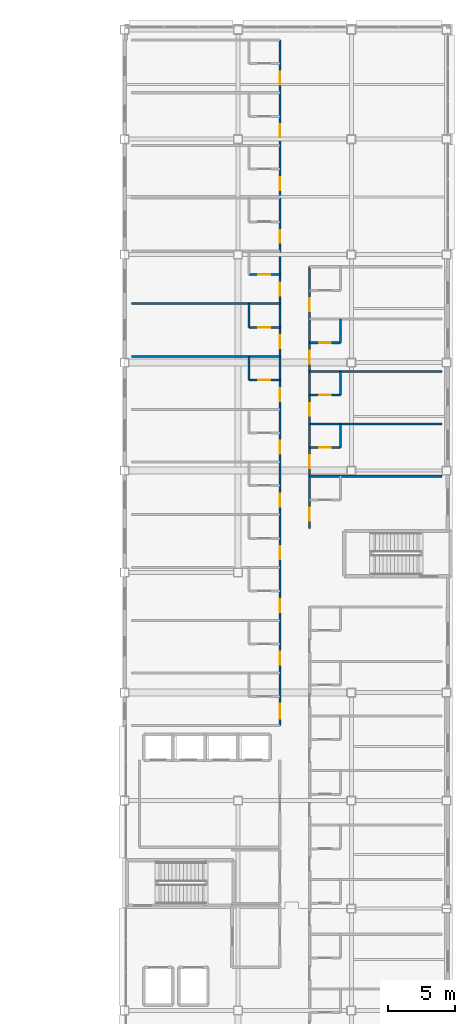
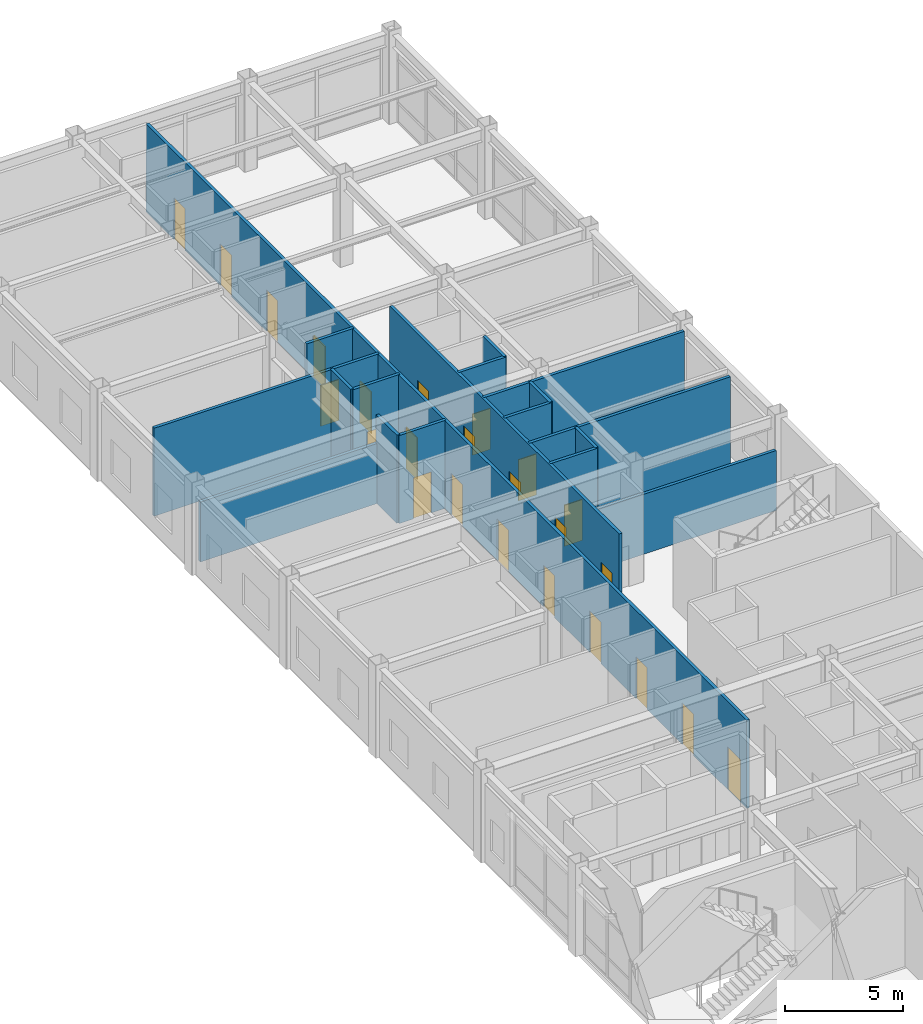
# One storey, part 80 of 93: 24 doors, 18 walls, 24 openings.
"""IFC4 building model written with IfcOpenShell, lengths in metres."""

from ifc_helpers import new_model, si_unit, direction, frame, frame_2d, origin, place, context, subcontext, project, spatial, rectangle, extrude, material, layer, layer_set, type_object, element, fill, save


model = new_model("IFC4")

# Units and contexts
model_context = context("Model", 3, precision=1e-05, world=origin(), true_north=direction((0.0, 1.0)))
body_context = subcontext(model_context, "Body", "Model", "MODEL_VIEW")
ifc_project = project(units=[si_unit("LENGTHUNIT", "METRE"), si_unit("AREAUNIT", "SQUARE_METRE"), si_unit("VOLUMEUNIT", "CUBIC_METRE"), si_unit("PLANEANGLEUNIT", "RADIAN"), si_unit("MASSUNIT", "GRAM", prefix="KILO")], contexts=[model_context])

# Site, building, storey
site_placement = place(None, origin())
site = spatial("IfcSite", under=ifc_project, at=site_placement, CompositionType="ELEMENT")
building_placement = place(site_placement, origin())
building = spatial("IfcBuilding", under=site, at=building_placement, Name="Kazehara Bluff Congress Hotel", CompositionType="ELEMENT")
storey_placement = place(building_placement, frame((0.0, 0.0, 15.0)))
storey = spatial("IfcBuildingStorey", under=building, at=storey_placement, Name="L03", CompositionType="ELEMENT", Elevation=15.0)

# Wall
ifc_material_1 = material(Name="Fire-rated gypsum board stud partition")
ifc_layer = layer(ifc_material_1, 0.14990234375)
ifc_layer_set = layer_set([ifc_layer], Name="Fire-rated gypsum board stud partition")
wall_type = type_object("IfcWallType", Name="TP-PT-150", PredefinedType="PARTITIONING", material=ifc_layer_set)
wall_1_placement = place(storey_placement, frame((157.39990234375, 80.47998046875, 0.0), z_axis=(0.0, 0.0, 1.0), x_axis=(1.0, 0.0, 0.0)))
element("IfcWall", 1, at=wall_1_placement, inside=storey, type_object=wall_type, Name="L03 partition PT-150 295", PredefinedType="PARTITIONING", context=body_context, shape_type="SweptSolid", body=[
    extrude(rectangle(XDim=9.800048828125, YDim=0.14990234375, at=frame_2d((4.89990234375, 0.0))), origin(), (0.0, 0.0, 1.0), 3.094970703125),
])

# Wall, opening, door
wall_2_placement = place(storey_placement, frame((157.39990234375, 82.610107421875, 0.0), z_axis=(0.0, 0.0, 1.0), x_axis=(1.0, 0.0, 0.0)))
wall_2 = element("IfcWall", 2, at=wall_2_placement, inside=storey, type_object=wall_type, Name="L03 partition PT-150 297", PredefinedType="PARTITIONING", context=body_context, shape_type="SweptSolid", body=[
    extrude(rectangle(XDim=2.300048828125, YDim=0.14990234375, at=frame_2d((1.14990234375, 0.0))), origin(), (0.0, 0.0, 1.0), 4.544921875),
])
opening_1_placement = place(wall_2_placement, frame((0.7099609375, 0.0, 0.0)))
opening_1 = element("IfcOpeningElement", 3, at=opening_1_placement, cuts=wall_2, Name="Opening BD-02", PredefinedType="OPENING", context=body_context, shape_type="SweptSolid", body=[
    extrude(rectangle(XDim=0.8798828125, YDim=2.1201171875, at=frame_2d((0.43994140625, 1.06005859375))), frame((0.0, 0.0849609375, 0.0), z_axis=(0.0, -1.0, 0.0), x_axis=(1.0, 0.0, 0.0)), (0.0, 0.0, 1.0), 0.169921875),
])
ifc_material_2 = material(Name="Architectural oak veneer leaf")
door_type_1 = type_object("IfcDoorType", Name="TP-BD-02", OperationType="NOTDEFINED", PredefinedType="DOOR", material=ifc_material_2)
door_1_placement = place(opening_1_placement, origin())
door_1 = element("IfcDoor", 4, at=door_1_placement, inside=storey, type_object=door_type_1, Name="L03 En-suite Bathroom 27 door", OperationType="SINGLE_SWING_LEFT", OverallHeight=2.1201171875, OverallWidth=0.8798828125, PredefinedType="DOOR", context=body_context, shape_type="SweptSolid", body=[
    extrude(rectangle(XDim=0.8798828125, YDim=2.1201171875, at=frame_2d((0.43994140625, 1.06005859375))), frame((0.0, 0.02490234375, 0.0), z_axis=(0.0, -1.0, 0.0), x_axis=(1.0, 0.0, 0.0)), (0.0, 0.0, 1.0), 0.050048828125),
])
fill(opening_1, door_1)

# Wall
wall_3_placement = place(storey_placement, frame((157.39990234375, 84.360107421875, 0.0), z_axis=(0.0, 0.0, 1.0), x_axis=(1.0, 0.0, 0.0)))
element("IfcWall", 5, at=wall_3_placement, inside=storey, type_object=wall_type, Name="L03 partition PT-150 299", PredefinedType="PARTITIONING", context=body_context, shape_type="SweptSolid", body=[
    extrude(rectangle(XDim=9.800048828125, YDim=0.14990234375, at=frame_2d((4.89990234375, 0.0))), origin(), (0.0, 0.0, 1.0), 4.544921875),
])

# Wall, opening, door
wall_4_placement = place(storey_placement, frame((157.39990234375, 86.489990234375, 0.0), z_axis=(0.0, 0.0, 1.0), x_axis=(1.0, 0.0, 0.0)))
wall_4 = element("IfcWall", 6, at=wall_4_placement, inside=storey, type_object=wall_type, Name="L03 partition PT-150 301", PredefinedType="PARTITIONING", context=body_context, shape_type="SweptSolid", body=[
    extrude(rectangle(XDim=2.300048828125, YDim=0.14990234375, at=frame_2d((1.14990234375, 0.0))), origin(), (0.0, 0.0, 1.0), 4.544921875),
])
opening_2_placement = place(wall_4_placement, frame((0.7099609375, 0.0, 0.0)))
opening_2 = element("IfcOpeningElement", 7, at=opening_2_placement, cuts=wall_4, Name="Opening BD-02", PredefinedType="OPENING", context=body_context, shape_type="SweptSolid", body=[
    extrude(rectangle(XDim=0.8798828125, YDim=2.1201171875, at=frame_2d((0.43994140625, 1.06005859375))), frame((0.0, 0.0849609375, 0.0), z_axis=(0.0, -1.0, 0.0), x_axis=(1.0, 0.0, 0.0)), (0.0, 0.0, 1.0), 0.169921875),
])
door_2_placement = place(opening_2_placement, origin())
door_2 = element("IfcDoor", 8, at=door_2_placement, inside=storey, type_object=door_type_1, Name="L03 En-suite Bathroom 28 door", OperationType="SINGLE_SWING_LEFT", OverallHeight=2.1201171875, OverallWidth=0.8798828125, PredefinedType="DOOR", context=body_context, shape_type="SweptSolid", body=[
    extrude(rectangle(XDim=0.8798828125, YDim=2.1201171875, at=frame_2d((0.43994140625, 1.06005859375))), frame((0.0, 0.02490234375, 0.0), z_axis=(0.0, -1.0, 0.0), x_axis=(1.0, 0.0, 0.0)), (0.0, 0.0, 1.0), 0.050048828125),
])
fill(opening_2, door_2)

wall_5_placement = place(storey_placement, frame((152.89990234375, 87.610107421875, 0.0), z_axis=(0.0, 0.0, 1.0), x_axis=(1.0, 0.0, 0.0)))
wall_5 = element("IfcWall", 9, at=wall_5_placement, inside=storey, type_object=wall_type, Name="L03 partition PT-150 302", PredefinedType="PARTITIONING", context=body_context, shape_type="SweptSolid", body=[
    extrude(rectangle(XDim=2.300048828125, YDim=0.14990234375, at=frame_2d((1.14990234375, 0.0))), origin(), (0.0, 0.0, 1.0), 4.544921875),
])
opening_3_placement = place(wall_5_placement, frame((0.7099609375, 0.0, 0.0)))
opening_3 = element("IfcOpeningElement", 10, at=opening_3_placement, cuts=wall_5, Name="Opening BD-02", PredefinedType="OPENING", context=body_context, shape_type="SweptSolid", body=[
    extrude(rectangle(XDim=0.8798828125, YDim=2.1201171875, at=frame_2d((0.43994140625, 1.06005859375))), frame((0.0, 0.0849609375, 0.0), z_axis=(0.0, -1.0, 0.0), x_axis=(1.0, 0.0, 0.0)), (0.0, 0.0, 1.0), 0.169921875),
])
door_3_placement = place(opening_3_placement, origin())
door_3 = element("IfcDoor", 11, at=door_3_placement, inside=storey, type_object=door_type_1, Name="L03 En-suite Bathroom 7 door", OperationType="SINGLE_SWING_LEFT", OverallHeight=2.1201171875, OverallWidth=0.8798828125, PredefinedType="DOOR", context=body_context, shape_type="SweptSolid", body=[
    extrude(rectangle(XDim=0.8798828125, YDim=2.1201171875, at=frame_2d((0.43994140625, 1.06005859375))), frame((0.0, 0.02490234375, 0.0), z_axis=(0.0, -1.0, 0.0), x_axis=(1.0, 0.0, 0.0)), (0.0, 0.0, 1.0), 0.050048828125),
])
fill(opening_3, door_3)

# Walls
wall_6_placement = place(storey_placement, frame((157.39990234375, 88.239990234375, 0.0), z_axis=(0.0, 0.0, 1.0), x_axis=(1.0, 0.0, 0.0)))
element("IfcWall", 12, at=wall_6_placement, inside=storey, type_object=wall_type, Name="L03 partition PT-150 303", PredefinedType="PARTITIONING", context=body_context, shape_type="SweptSolid", body=[
    extrude(rectangle(XDim=9.800048828125, YDim=0.14990234375, at=frame_2d((4.89990234375, 0.0))), origin(), (0.0, 0.0, 1.0), 4.544921875),
])
wall_7_placement = place(storey_placement, frame((144.199951171875, 89.360107421875, 0.0), z_axis=(0.0, 0.0, 1.0), x_axis=(1.0, 0.0, 0.0)))
element("IfcWall", 13, at=wall_7_placement, inside=storey, type_object=wall_type, Name="L03 partition PT-150 304", PredefinedType="PARTITIONING", context=body_context, shape_type="SweptSolid", body=[
    extrude(rectangle(XDim=11.0, YDim=0.14990234375, at=frame_2d((5.5, 0.0))), origin(), (0.0, 0.0, 1.0), 3.094970703125),
])

# Wall, opening, door
wall_8_placement = place(storey_placement, frame((157.39990234375, 90.3701171875, 0.0), z_axis=(0.0, 0.0, 1.0), x_axis=(1.0, 0.0, 0.0)))
wall_8 = element("IfcWall", 14, at=wall_8_placement, inside=storey, type_object=wall_type, Name="L03 partition PT-150 305", PredefinedType="PARTITIONING", context=body_context, shape_type="SweptSolid", body=[
    extrude(rectangle(XDim=2.300048828125, YDim=0.14990234375, at=frame_2d((1.14990234375, 0.0))), origin(), (0.0, 0.0, 1.0), 4.544921875),
])
opening_4_placement = place(wall_8_placement, frame((0.7099609375, 0.0, 0.0)))
opening_4 = element("IfcOpeningElement", 15, at=opening_4_placement, cuts=wall_8, Name="Opening BD-02", PredefinedType="OPENING", context=body_context, shape_type="SweptSolid", body=[
    extrude(rectangle(XDim=0.8798828125, YDim=2.1201171875, at=frame_2d((0.43994140625, 1.06005859375))), frame((0.0, 0.0849609375, 0.0), z_axis=(0.0, -1.0, 0.0), x_axis=(1.0, 0.0, 0.0)), (0.0, 0.0, 1.0), 0.169921875),
])
door_4_placement = place(opening_4_placement, origin())
door_4 = element("IfcDoor", 16, at=door_4_placement, inside=storey, type_object=door_type_1, Name="L03 En-suite Bathroom 29 door", OperationType="SINGLE_SWING_LEFT", OverallHeight=2.1201171875, OverallWidth=0.8798828125, PredefinedType="DOOR", context=body_context, shape_type="SweptSolid", body=[
    extrude(rectangle(XDim=0.8798828125, YDim=2.1201171875, at=frame_2d((0.43994140625, 1.06005859375))), frame((0.0, 0.02490234375, 0.0), z_axis=(0.0, -1.0, 0.0), x_axis=(1.0, 0.0, 0.0)), (0.0, 0.0, 1.0), 0.050048828125),
])
fill(opening_4, door_4)

wall_9_placement = place(storey_placement, frame((152.89990234375, 91.510009765625, 0.0), z_axis=(0.0, 0.0, 1.0), x_axis=(1.0, 0.0, 0.0)))
wall_9 = element("IfcWall", 17, at=wall_9_placement, inside=storey, type_object=wall_type, Name="L03 partition PT-150 306", PredefinedType="PARTITIONING", context=body_context, shape_type="SweptSolid", body=[
    extrude(rectangle(XDim=2.300048828125, YDim=0.14990234375, at=frame_2d((1.14990234375, 0.0))), origin(), (0.0, 0.0, 1.0), 4.544921875),
])
opening_5_placement = place(wall_9_placement, frame((0.7099609375, 0.0, 0.0)))
opening_5 = element("IfcOpeningElement", 18, at=opening_5_placement, cuts=wall_9, Name="Opening BD-02", PredefinedType="OPENING", context=body_context, shape_type="SweptSolid", body=[
    extrude(rectangle(XDim=0.8798828125, YDim=2.1201171875, at=frame_2d((0.43994140625, 1.06005859375))), frame((0.0, 0.0849609375, 0.0), z_axis=(0.0, -1.0, 0.0), x_axis=(1.0, 0.0, 0.0)), (0.0, 0.0, 1.0), 0.169921875),
])
door_5_placement = place(opening_5_placement, origin())
door_5 = element("IfcDoor", 19, at=door_5_placement, inside=storey, type_object=door_type_1, Name="L03 En-suite Bathroom 8 door", OperationType="SINGLE_SWING_LEFT", OverallHeight=2.1201171875, OverallWidth=0.8798828125, PredefinedType="DOOR", context=body_context, shape_type="SweptSolid", body=[
    extrude(rectangle(XDim=0.8798828125, YDim=2.1201171875, at=frame_2d((0.43994140625, 1.06005859375))), frame((0.0, 0.02490234375, 0.0), z_axis=(0.0, -1.0, 0.0), x_axis=(1.0, 0.0, 0.0)), (0.0, 0.0, 1.0), 0.050048828125),
])
fill(opening_5, door_5)

# Wall
wall_10_placement = place(storey_placement, frame((144.199951171875, 93.260009765625, 0.0), z_axis=(0.0, 0.0, 1.0), x_axis=(1.0, 0.0, 0.0)))
element("IfcWall", 20, at=wall_10_placement, inside=storey, type_object=wall_type, Name="L03 partition PT-150 308", PredefinedType="PARTITIONING", context=body_context, shape_type="SweptSolid", body=[
    extrude(rectangle(XDim=11.0, YDim=0.14990234375, at=frame_2d((5.5, 0.0))), origin(), (0.0, 0.0, 1.0), 4.544921875),
])

# Wall, opening, door
wall_11_placement = place(storey_placement, frame((152.89990234375, 95.419921875, 0.0), z_axis=(0.0, 0.0, 1.0), x_axis=(1.0, 0.0, 0.0)))
wall_11 = element("IfcWall", 21, at=wall_11_placement, inside=storey, type_object=wall_type, Name="L03 partition PT-150 310", PredefinedType="PARTITIONING", context=body_context, shape_type="SweptSolid", body=[
    extrude(rectangle(XDim=2.300048828125, YDim=0.14990234375, at=frame_2d((1.14990234375, 0.0))), origin(), (0.0, 0.0, 1.0), 4.544921875),
])
opening_6_placement = place(wall_11_placement, frame((0.7099609375, 0.0, 0.0)))
opening_6 = element("IfcOpeningElement", 22, at=opening_6_placement, cuts=wall_11, Name="Opening BD-02", PredefinedType="OPENING", context=body_context, shape_type="SweptSolid", body=[
    extrude(rectangle(XDim=0.8798828125, YDim=2.1201171875, at=frame_2d((0.43994140625, 1.06005859375))), frame((0.0, 0.0849609375, 0.0), z_axis=(0.0, -1.0, 0.0), x_axis=(1.0, 0.0, 0.0)), (0.0, 0.0, 1.0), 0.169921875),
])
door_6_placement = place(opening_6_placement, origin())
door_6 = element("IfcDoor", 23, at=door_6_placement, inside=storey, type_object=door_type_1, Name="L03 En-suite Bathroom 9 door", OperationType="SINGLE_SWING_LEFT", OverallHeight=2.1201171875, OverallWidth=0.8798828125, PredefinedType="DOOR", context=body_context, shape_type="SweptSolid", body=[
    extrude(rectangle(XDim=0.8798828125, YDim=2.1201171875, at=frame_2d((0.43994140625, 1.06005859375))), frame((0.0, 0.02490234375, 0.0), z_axis=(0.0, -1.0, 0.0), x_axis=(1.0, 0.0, 0.0)), (0.0, 0.0, 1.0), 0.050048828125),
])
fill(opening_6, door_6)

# Walls
for number, where, z_axis, x_axis, name in (
    (24, (152.89990234375, 87.60498046875, 0.0), (0.0, 0.0, 1.0), (0.0, 1.0, 0.0), "L03 partition PT-150 336"),
    (25, (152.89990234375, 91.510009765625, 0.0), (0.0, 0.0, 1.0), (0.0, 1.0, 0.0), "L03 partition PT-150 337"),
):
    element("IfcWall", number, at=place(storey_placement, frame(where, z_axis=z_axis, x_axis=x_axis)), inside=storey, type_object=wall_type, Name=name, PredefinedType="PARTITIONING", context=body_context, shape_type="SweptSolid", body=[
        extrude(rectangle(XDim=1.75, YDim=0.14990234375, at=frame_2d((0.875, 0.0))), origin(), (0.0, 0.0, 1.0), 4.544921875),
    ])

# Wall, openings, doors
wall_12_placement = place(storey_placement, frame((155.199951171875, 62.0, 0.0), z_axis=(0.0, 0.0, 1.0), x_axis=(0.0, 1.0, 0.0)))
wall_12 = element("IfcWall", 26, at=wall_12_placement, inside=storey, type_object=wall_type, Name="L03 partition PT-150 348", PredefinedType="PARTITIONING", context=body_context, shape_type="SweptSolid", body=[
    extrude(rectangle(XDim=50.800048828125, YDim=0.14990234375, at=frame_2d((25.39990234375, 0.0))), origin(), (0.0, 0.0, 1.0), 4.544921875),
])
opening_7_placement = place(wall_12_placement, frame((0.530029296875, 0.0, 0.0)))
opening_7 = element("IfcOpeningElement", 27, at=opening_7_placement, cuts=wall_12, Name="Opening GD-02", PredefinedType="OPENING", context=body_context, shape_type="SweptSolid", body=[
    extrude(rectangle(XDim=1.10009765625, YDim=2.199951171875, at=frame_2d((0.550048828125, 1.10009765625))), frame((0.0, 0.0849609375, 0.0), z_axis=(0.0, -1.0, 0.0), x_axis=(1.0, 0.0, 0.0)), (0.0, 0.0, 1.0), 0.169921875),
])
opening_8_placement = place(wall_12_placement, frame((4.510009765625, 0.0, 0.0)))
opening_8 = element("IfcOpeningElement", 28, at=opening_8_placement, cuts=wall_12, Name="Opening GD-01", PredefinedType="OPENING", context=body_context, shape_type="SweptSolid", body=[
    extrude(rectangle(XDim=0.949951171875, YDim=2.14990234375, at=frame_2d((0.47509765625, 1.074951171875))), frame((0.0, 0.0849609375, 0.0), z_axis=(0.0, -1.0, 0.0), x_axis=(1.0, 0.0, 0.0)), (0.0, 0.0, 1.0), 0.169921875),
])
opening_9_placement = place(wall_12_placement, frame((8.419921875, 0.0, 0.0)))
opening_9 = element("IfcOpeningElement", 29, at=opening_9_placement, cuts=wall_12, Name="Opening GD-01", PredefinedType="OPENING", context=body_context, shape_type="SweptSolid", body=[
    extrude(rectangle(XDim=0.949951171875, YDim=2.14990234375, at=frame_2d((0.47509765625, 1.074951171875))), frame((0.0, 0.0849609375, 0.0), z_axis=(0.0, -1.0, 0.0), x_axis=(1.0, 0.0, 0.0)), (0.0, 0.0, 1.0), 0.169921875),
])
opening_10_placement = place(wall_12_placement, frame((12.330078125, 0.0, 0.0)))
opening_10 = element("IfcOpeningElement", 30, at=opening_10_placement, cuts=wall_12, Name="Opening GD-01", PredefinedType="OPENING", context=body_context, shape_type="SweptSolid", body=[
    extrude(rectangle(XDim=0.949951171875, YDim=2.14990234375, at=frame_2d((0.47509765625, 1.074951171875))), frame((0.0, 0.0849609375, 0.0), z_axis=(0.0, -1.0, 0.0), x_axis=(1.0, 0.0, 0.0)), (0.0, 0.0, 1.0), 0.169921875),
])
opening_11_placement = place(wall_12_placement, frame((16.235107421875, 0.0, 0.0)))
opening_11 = element("IfcOpeningElement", 31, at=opening_11_placement, cuts=wall_12, Name="Opening GD-01", PredefinedType="OPENING", context=body_context, shape_type="SweptSolid", body=[
    extrude(rectangle(XDim=0.949951171875, YDim=2.14990234375, at=frame_2d((0.47509765625, 1.074951171875))), frame((0.0, 0.0849609375, 0.0), z_axis=(0.0, -1.0, 0.0), x_axis=(1.0, 0.0, 0.0)), (0.0, 0.0, 1.0), 0.169921875),
])
opening_12_placement = place(wall_12_placement, frame((20.14501953125, 0.0, 0.0)))
opening_12 = element("IfcOpeningElement", 32, at=opening_12_placement, cuts=wall_12, Name="Opening GD-01", PredefinedType="OPENING", context=body_context, shape_type="SweptSolid", body=[
    extrude(rectangle(XDim=0.949951171875, YDim=2.14990234375, at=frame_2d((0.47509765625, 1.074951171875))), frame((0.0, 0.0849609375, 0.0), z_axis=(0.0, -1.0, 0.0), x_axis=(1.0, 0.0, 0.0)), (0.0, 0.0, 1.0), 0.169921875),
])
opening_13_placement = place(wall_12_placement, frame((24.050048828125, 0.0, 0.0)))
opening_13 = element("IfcOpeningElement", 33, at=opening_13_placement, cuts=wall_12, Name="Opening GD-01", PredefinedType="OPENING", context=body_context, shape_type="SweptSolid", body=[
    extrude(rectangle(XDim=0.949951171875, YDim=2.14990234375, at=frame_2d((0.47509765625, 1.074951171875))), frame((0.0, 0.0849609375, 0.0), z_axis=(0.0, -1.0, 0.0), x_axis=(1.0, 0.0, 0.0)), (0.0, 0.0, 1.0), 0.169921875),
])
opening_14_placement = place(wall_12_placement, frame((27.9599609375, 0.0, 0.0)))
opening_14 = element("IfcOpeningElement", 34, at=opening_14_placement, cuts=wall_12, Name="Opening GD-01", PredefinedType="OPENING", context=body_context, shape_type="SweptSolid", body=[
    extrude(rectangle(XDim=0.949951171875, YDim=2.14990234375, at=frame_2d((0.47509765625, 1.074951171875))), frame((0.0, 0.0849609375, 0.0), z_axis=(0.0, -1.0, 0.0), x_axis=(1.0, 0.0, 0.0)), (0.0, 0.0, 1.0), 0.169921875),
])
opening_15_placement = place(wall_12_placement, frame((31.864990234375, 0.0, 0.0)))
opening_15 = element("IfcOpeningElement", 35, at=opening_15_placement, cuts=wall_12, Name="Opening GD-01", PredefinedType="OPENING", context=body_context, shape_type="SweptSolid", body=[
    extrude(rectangle(XDim=0.949951171875, YDim=2.14990234375, at=frame_2d((0.47509765625, 1.074951171875))), frame((0.0, 0.0849609375, 0.0), z_axis=(0.0, -1.0, 0.0), x_axis=(1.0, 0.0, 0.0)), (0.0, 0.0, 1.0), 0.169921875),
])
opening_16_placement = place(wall_12_placement, frame((35.77001953125, 0.0, 0.0)))
opening_16 = element("IfcOpeningElement", 36, at=opening_16_placement, cuts=wall_12, Name="Opening GD-01", PredefinedType="OPENING", context=body_context, shape_type="SweptSolid", body=[
    extrude(rectangle(XDim=0.949951171875, YDim=2.14990234375, at=frame_2d((0.47509765625, 1.074951171875))), frame((0.0, 0.0849609375, 0.0), z_axis=(0.0, -1.0, 0.0), x_axis=(1.0, 0.0, 0.0)), (0.0, 0.0, 1.0), 0.169921875),
])
opening_17_placement = place(wall_12_placement, frame((39.679931640625, 0.0, 0.0)))
opening_17 = element("IfcOpeningElement", 37, at=opening_17_placement, cuts=wall_12, Name="Opening GD-01", PredefinedType="OPENING", context=body_context, shape_type="SweptSolid", body=[
    extrude(rectangle(XDim=0.949951171875, YDim=2.14990234375, at=frame_2d((0.47509765625, 1.074951171875))), frame((0.0, 0.0849609375, 0.0), z_axis=(0.0, -1.0, 0.0), x_axis=(1.0, 0.0, 0.0)), (0.0, 0.0, 1.0), 0.169921875),
])
opening_18_placement = place(wall_12_placement, frame((43.590087890625, 0.0, 0.0)))
opening_18 = element("IfcOpeningElement", 38, at=opening_18_placement, cuts=wall_12, Name="Opening GD-01", PredefinedType="OPENING", context=body_context, shape_type="SweptSolid", body=[
    extrude(rectangle(XDim=0.949951171875, YDim=2.14990234375, at=frame_2d((0.47509765625, 1.074951171875))), frame((0.0, 0.0849609375, 0.0), z_axis=(0.0, -1.0, 0.0), x_axis=(1.0, 0.0, 0.0)), (0.0, 0.0, 1.0), 0.169921875),
])
opening_19_placement = place(wall_12_placement, frame((47.4951171875, 0.0, 0.0)))
opening_19 = element("IfcOpeningElement", 39, at=opening_19_placement, cuts=wall_12, Name="Opening GD-01", PredefinedType="OPENING", context=body_context, shape_type="SweptSolid", body=[
    extrude(rectangle(XDim=0.949951171875, YDim=2.14990234375, at=frame_2d((0.47509765625, 1.074951171875))), frame((0.0, 0.0849609375, 0.0), z_axis=(0.0, -1.0, 0.0), x_axis=(1.0, 0.0, 0.0)), (0.0, 0.0, 1.0), 0.169921875),
])
ifc_material_3 = material(Name="Architectural oak veneer leaf")
door_type_2 = type_object("IfcDoorType", Name="TP-GD-01", OperationType="NOTDEFINED", PredefinedType="DOOR", material=ifc_material_3)
door_7_placement = place(opening_8_placement, origin())
door_7 = element("IfcDoor", 40, at=door_7_placement, inside=storey, type_object=door_type_2, Name="L03 Deluxe Twin Guest Room 2 door", OperationType="SINGLE_SWING_RIGHT", OverallHeight=2.14990234375, OverallWidth=0.949951171875, PredefinedType="DOOR", context=body_context, shape_type="SweptSolid", body=[
    extrude(rectangle(XDim=0.949951171875, YDim=2.14990234375, at=frame_2d((0.47509765625, 1.074951171875))), frame((0.0, 0.02490234375, 0.0), z_axis=(0.0, -1.0, 0.0), x_axis=(1.0, 0.0, 0.0)), (0.0, 0.0, 1.0), 0.050048828125),
])
fill(opening_8, door_7)
door_8_placement = place(opening_9_placement, origin())
door_8 = element("IfcDoor", 41, at=door_8_placement, inside=storey, type_object=door_type_2, Name="L03 Standard King Guest Room 3 door", OperationType="SINGLE_SWING_RIGHT", OverallHeight=2.14990234375, OverallWidth=0.949951171875, PredefinedType="DOOR", context=body_context, shape_type="SweptSolid", body=[
    extrude(rectangle(XDim=0.949951171875, YDim=2.14990234375, at=frame_2d((0.47509765625, 1.074951171875))), frame((0.0, 0.02490234375, 0.0), z_axis=(0.0, -1.0, 0.0), x_axis=(1.0, 0.0, 0.0)), (0.0, 0.0, 1.0), 0.050048828125),
])
fill(opening_9, door_8)
door_9_placement = place(opening_10_placement, origin())
door_9 = element("IfcDoor", 42, at=door_9_placement, inside=storey, type_object=door_type_2, Name="L03 Deluxe Twin Guest Room 4 door", OperationType="SINGLE_SWING_RIGHT", OverallHeight=2.14990234375, OverallWidth=0.949951171875, PredefinedType="DOOR", context=body_context, shape_type="SweptSolid", body=[
    extrude(rectangle(XDim=0.949951171875, YDim=2.14990234375, at=frame_2d((0.47509765625, 1.074951171875))), frame((0.0, 0.02490234375, 0.0), z_axis=(0.0, -1.0, 0.0), x_axis=(1.0, 0.0, 0.0)), (0.0, 0.0, 1.0), 0.050048828125),
])
fill(opening_10, door_9)
door_10_placement = place(opening_11_placement, origin())
door_10 = element("IfcDoor", 43, at=door_10_placement, inside=storey, type_object=door_type_2, Name="L03 Standard King Guest Room 5 door", OperationType="SINGLE_SWING_RIGHT", OverallHeight=2.14990234375, OverallWidth=0.949951171875, PredefinedType="DOOR", context=body_context, shape_type="SweptSolid", body=[
    extrude(rectangle(XDim=0.949951171875, YDim=2.14990234375, at=frame_2d((0.47509765625, 1.074951171875))), frame((0.0, 0.02490234375, 0.0), z_axis=(0.0, -1.0, 0.0), x_axis=(1.0, 0.0, 0.0)), (0.0, 0.0, 1.0), 0.050048828125),
])
fill(opening_11, door_10)
door_11_placement = place(opening_12_placement, origin())
door_11 = element("IfcDoor", 44, at=door_11_placement, inside=storey, type_object=door_type_2, Name="L03 Deluxe Twin Guest Room 6 door", OperationType="SINGLE_SWING_RIGHT", OverallHeight=2.14990234375, OverallWidth=0.949951171875, PredefinedType="DOOR", context=body_context, shape_type="SweptSolid", body=[
    extrude(rectangle(XDim=0.949951171875, YDim=2.14990234375, at=frame_2d((0.47509765625, 1.074951171875))), frame((0.0, 0.02490234375, 0.0), z_axis=(0.0, -1.0, 0.0), x_axis=(1.0, 0.0, 0.0)), (0.0, 0.0, 1.0), 0.050048828125),
])
fill(opening_12, door_11)
door_12_placement = place(opening_13_placement, origin())
door_12 = element("IfcDoor", 45, at=door_12_placement, inside=storey, type_object=door_type_2, Name="L03 Standard King Guest Room 7 door", OperationType="SINGLE_SWING_RIGHT", OverallHeight=2.14990234375, OverallWidth=0.949951171875, PredefinedType="DOOR", context=body_context, shape_type="SweptSolid", body=[
    extrude(rectangle(XDim=0.949951171875, YDim=2.14990234375, at=frame_2d((0.47509765625, 1.074951171875))), frame((0.0, 0.02490234375, 0.0), z_axis=(0.0, -1.0, 0.0), x_axis=(1.0, 0.0, 0.0)), (0.0, 0.0, 1.0), 0.050048828125),
])
fill(opening_13, door_12)
door_13_placement = place(opening_14_placement, origin())
door_13 = element("IfcDoor", 46, at=door_13_placement, inside=storey, type_object=door_type_2, Name="L03 Deluxe Twin Guest Room 8 door", OperationType="SINGLE_SWING_RIGHT", OverallHeight=2.14990234375, OverallWidth=0.949951171875, PredefinedType="DOOR", context=body_context, shape_type="SweptSolid", body=[
    extrude(rectangle(XDim=0.949951171875, YDim=2.14990234375, at=frame_2d((0.47509765625, 1.074951171875))), frame((0.0, 0.02490234375, 0.0), z_axis=(0.0, -1.0, 0.0), x_axis=(1.0, 0.0, 0.0)), (0.0, 0.0, 1.0), 0.050048828125),
])
fill(opening_14, door_13)
door_14_placement = place(opening_15_placement, origin())
door_14 = element("IfcDoor", 47, at=door_14_placement, inside=storey, type_object=door_type_2, Name="L03 Standard King Guest Room 9 door", OperationType="SINGLE_SWING_RIGHT", OverallHeight=2.14990234375, OverallWidth=0.949951171875, PredefinedType="DOOR", context=body_context, shape_type="SweptSolid", body=[
    extrude(rectangle(XDim=0.949951171875, YDim=2.14990234375, at=frame_2d((0.47509765625, 1.074951171875))), frame((0.0, 0.02490234375, 0.0), z_axis=(0.0, -1.0, 0.0), x_axis=(1.0, 0.0, 0.0)), (0.0, 0.0, 1.0), 0.050048828125),
])
fill(opening_15, door_14)
door_15_placement = place(opening_16_placement, origin())
door_15 = element("IfcDoor", 48, at=door_15_placement, inside=storey, type_object=door_type_2, Name="L03 Deluxe Twin Guest Room 10 door", OperationType="SINGLE_SWING_RIGHT", OverallHeight=2.14990234375, OverallWidth=0.949951171875, PredefinedType="DOOR", context=body_context, shape_type="SweptSolid", body=[
    extrude(rectangle(XDim=0.949951171875, YDim=2.14990234375, at=frame_2d((0.47509765625, 1.074951171875))), frame((0.0, 0.02490234375, 0.0), z_axis=(0.0, -1.0, 0.0), x_axis=(1.0, 0.0, 0.0)), (0.0, 0.0, 1.0), 0.050048828125),
])
fill(opening_16, door_15)
door_16_placement = place(opening_17_placement, origin())
door_16 = element("IfcDoor", 49, at=door_16_placement, inside=storey, type_object=door_type_2, Name="L03 Standard King Guest Room 11 door", OperationType="SINGLE_SWING_RIGHT", OverallHeight=2.14990234375, OverallWidth=0.949951171875, PredefinedType="DOOR", context=body_context, shape_type="SweptSolid", body=[
    extrude(rectangle(XDim=0.949951171875, YDim=2.14990234375, at=frame_2d((0.47509765625, 1.074951171875))), frame((0.0, 0.02490234375, 0.0), z_axis=(0.0, -1.0, 0.0), x_axis=(1.0, 0.0, 0.0)), (0.0, 0.0, 1.0), 0.050048828125),
])
fill(opening_17, door_16)
door_17_placement = place(opening_18_placement, origin())
door_17 = element("IfcDoor", 50, at=door_17_placement, inside=storey, type_object=door_type_2, Name="L03 Deluxe Twin Guest Room 12 door", OperationType="SINGLE_SWING_RIGHT", OverallHeight=2.14990234375, OverallWidth=0.949951171875, PredefinedType="DOOR", context=body_context, shape_type="SweptSolid", body=[
    extrude(rectangle(XDim=0.949951171875, YDim=2.14990234375, at=frame_2d((0.47509765625, 1.074951171875))), frame((0.0, 0.02490234375, 0.0), z_axis=(0.0, -1.0, 0.0), x_axis=(1.0, 0.0, 0.0)), (0.0, 0.0, 1.0), 0.050048828125),
])
fill(opening_18, door_17)
door_18_placement = place(opening_19_placement, origin())
door_18 = element("IfcDoor", 51, at=door_18_placement, inside=storey, type_object=door_type_2, Name="L03 Standard King Guest Room 13 door", OperationType="SINGLE_SWING_RIGHT", OverallHeight=2.14990234375, OverallWidth=0.949951171875, PredefinedType="DOOR", context=body_context, shape_type="SweptSolid", body=[
    extrude(rectangle(XDim=0.949951171875, YDim=2.14990234375, at=frame_2d((0.47509765625, 1.074951171875))), frame((0.0, 0.02490234375, 0.0), z_axis=(0.0, -1.0, 0.0), x_axis=(1.0, 0.0, 0.0)), (0.0, 0.0, 1.0), 0.050048828125),
])
fill(opening_19, door_18)
ifc_material_4 = material(Name="Architectural oak veneer leaf")
door_type_3 = type_object("IfcDoorType", Name="TP-GD-02", OperationType="NOTDEFINED", PredefinedType="DOOR", material=ifc_material_4)
door_19_placement = place(opening_7_placement, origin())
door_19 = element("IfcDoor", 52, at=door_19_placement, inside=storey, type_object=door_type_3, Name="L03 Accessible Suite 1 door", OperationType="SINGLE_SWING_RIGHT", OverallHeight=2.199951171875, OverallWidth=1.10009765625, PredefinedType="DOOR", context=body_context, shape_type="SweptSolid", body=[
    extrude(rectangle(XDim=1.10009765625, YDim=2.199951171875, at=frame_2d((0.550048828125, 1.10009765625))), frame((0.0, 0.02490234375, 0.0), z_axis=(0.0, -1.0, 0.0), x_axis=(1.0, 0.0, 0.0)), (0.0, 0.0, 1.0), 0.050048828125),
])
fill(opening_7, door_19)

wall_13_placement = place(storey_placement, frame((157.39990234375, 76.60009765625, 0.0), z_axis=(0.0, 0.0, 1.0), x_axis=(0.0, 1.0, 0.0)))
wall_13 = element("IfcWall", 53, at=wall_13_placement, inside=storey, type_object=wall_type, Name="L03 partition PT-150 350", PredefinedType="PARTITIONING", context=body_context, shape_type="SweptSolid", body=[
    extrude(rectangle(XDim=19.39990234375, YDim=0.14990234375, at=frame_2d((9.699951171875, 0.0))), origin(), (0.0, 0.0, 1.0), 4.544921875),
])
opening_20_placement = place(wall_13_placement, frame((0.590087890625, 0.0, 0.0)))
opening_20 = element("IfcOpeningElement", 54, at=opening_20_placement, cuts=wall_13, Name="Opening GD-01", PredefinedType="OPENING", context=body_context, shape_type="SweptSolid", body=[
    extrude(rectangle(XDim=0.949951171875, YDim=2.14990234375, at=frame_2d((0.47509765625, 1.074951171875))), frame((0.0, 0.0849609375, 0.0), z_axis=(0.0, -1.0, 0.0), x_axis=(1.0, 0.0, 0.0)), (0.0, 0.0, 1.0), 0.169921875),
])
opening_21_placement = place(wall_13_placement, frame((4.469970703125, 0.0, 0.0)))
opening_21 = element("IfcOpeningElement", 55, at=opening_21_placement, cuts=wall_13, Name="Opening GD-01", PredefinedType="OPENING", context=body_context, shape_type="SweptSolid", body=[
    extrude(rectangle(XDim=0.949951171875, YDim=2.14990234375, at=frame_2d((0.47509765625, 1.074951171875))), frame((0.0, 0.0849609375, 0.0), z_axis=(0.0, -1.0, 0.0), x_axis=(1.0, 0.0, 0.0)), (0.0, 0.0, 1.0), 0.169921875),
])
opening_22_placement = place(wall_13_placement, frame((8.35009765625, 0.0, 0.0)))
opening_22 = element("IfcOpeningElement", 56, at=opening_22_placement, cuts=wall_13, Name="Opening GD-01", PredefinedType="OPENING", context=body_context, shape_type="SweptSolid", body=[
    extrude(rectangle(XDim=0.949951171875, YDim=2.14990234375, at=frame_2d((0.47509765625, 1.074951171875))), frame((0.0, 0.0849609375, 0.0), z_axis=(0.0, -1.0, 0.0), x_axis=(1.0, 0.0, 0.0)), (0.0, 0.0, 1.0), 0.169921875),
])
opening_23_placement = place(wall_13_placement, frame((12.22998046875, 0.0, 0.0)))
opening_23 = element("IfcOpeningElement", 57, at=opening_23_placement, cuts=wall_13, Name="Opening GD-01", PredefinedType="OPENING", context=body_context, shape_type="SweptSolid", body=[
    extrude(rectangle(XDim=0.949951171875, YDim=2.14990234375, at=frame_2d((0.47509765625, 1.074951171875))), frame((0.0, 0.0849609375, 0.0), z_axis=(0.0, -1.0, 0.0), x_axis=(1.0, 0.0, 0.0)), (0.0, 0.0, 1.0), 0.169921875),
])
opening_24_placement = place(wall_13_placement, frame((16.110107421875, 0.0, 0.0)))
opening_24 = element("IfcOpeningElement", 58, at=opening_24_placement, cuts=wall_13, Name="Opening GD-01", PredefinedType="OPENING", context=body_context, shape_type="SweptSolid", body=[
    extrude(rectangle(XDim=0.949951171875, YDim=2.14990234375, at=frame_2d((0.47509765625, 1.074951171875))), frame((0.0, 0.0849609375, 0.0), z_axis=(0.0, -1.0, 0.0), x_axis=(1.0, 0.0, 0.0)), (0.0, 0.0, 1.0), 0.169921875),
])
door_20_placement = place(opening_20_placement, origin())
door_20 = element("IfcDoor", 59, at=door_20_placement, inside=storey, type_object=door_type_2, Name="L03 Deluxe Twin Guest Room 26 door", OperationType="SINGLE_SWING_RIGHT", OverallHeight=2.14990234375, OverallWidth=0.949951171875, PredefinedType="DOOR", context=body_context, shape_type="SweptSolid", body=[
    extrude(rectangle(XDim=0.949951171875, YDim=2.14990234375, at=frame_2d((0.47509765625, 1.074951171875))), frame((0.0, 0.02490234375, 0.0), z_axis=(0.0, -1.0, 0.0), x_axis=(1.0, 0.0, 0.0)), (0.0, 0.0, 1.0), 0.050048828125),
])
fill(opening_20, door_20)
door_21_placement = place(opening_21_placement, origin())
door_21 = element("IfcDoor", 60, at=door_21_placement, inside=storey, type_object=door_type_2, Name="L03 Standard King Guest Room 27 door", OperationType="SINGLE_SWING_RIGHT", OverallHeight=2.14990234375, OverallWidth=0.949951171875, PredefinedType="DOOR", context=body_context, shape_type="SweptSolid", body=[
    extrude(rectangle(XDim=0.949951171875, YDim=2.14990234375, at=frame_2d((0.47509765625, 1.074951171875))), frame((0.0, 0.02490234375, 0.0), z_axis=(0.0, -1.0, 0.0), x_axis=(1.0, 0.0, 0.0)), (0.0, 0.0, 1.0), 0.050048828125),
])
fill(opening_21, door_21)
door_22_placement = place(opening_22_placement, origin())
door_22 = element("IfcDoor", 61, at=door_22_placement, inside=storey, type_object=door_type_2, Name="L03 Deluxe Twin Guest Room 28 door", OperationType="SINGLE_SWING_RIGHT", OverallHeight=2.14990234375, OverallWidth=0.949951171875, PredefinedType="DOOR", context=body_context, shape_type="SweptSolid", body=[
    extrude(rectangle(XDim=0.949951171875, YDim=2.14990234375, at=frame_2d((0.47509765625, 1.074951171875))), frame((0.0, 0.02490234375, 0.0), z_axis=(0.0, -1.0, 0.0), x_axis=(1.0, 0.0, 0.0)), (0.0, 0.0, 1.0), 0.050048828125),
])
fill(opening_22, door_22)
door_23_placement = place(opening_23_placement, origin())
door_23 = element("IfcDoor", 62, at=door_23_placement, inside=storey, type_object=door_type_2, Name="L03 Standard King Guest Room 29 door", OperationType="SINGLE_SWING_RIGHT", OverallHeight=2.14990234375, OverallWidth=0.949951171875, PredefinedType="DOOR", context=body_context, shape_type="SweptSolid", body=[
    extrude(rectangle(XDim=0.949951171875, YDim=2.14990234375, at=frame_2d((0.47509765625, 1.074951171875))), frame((0.0, 0.02490234375, 0.0), z_axis=(0.0, -1.0, 0.0), x_axis=(1.0, 0.0, 0.0)), (0.0, 0.0, 1.0), 0.050048828125),
])
fill(opening_23, door_23)
door_24_placement = place(opening_24_placement, origin())
door_24 = element("IfcDoor", 63, at=door_24_placement, inside=storey, type_object=door_type_2, Name="L03 Deluxe Twin Guest Room 30 door", OperationType="SINGLE_SWING_RIGHT", OverallHeight=2.14990234375, OverallWidth=0.949951171875, PredefinedType="DOOR", context=body_context, shape_type="SweptSolid", body=[
    extrude(rectangle(XDim=0.949951171875, YDim=2.14990234375, at=frame_2d((0.47509765625, 1.074951171875))), frame((0.0, 0.02490234375, 0.0), z_axis=(0.0, -1.0, 0.0), x_axis=(1.0, 0.0, 0.0)), (0.0, 0.0, 1.0), 0.050048828125),
])
fill(opening_24, door_24)

# Walls
for number, where, z_axis, x_axis, name in (
    (64, (159.699951171875, 82.610107421875, 0.0), (0.0, 0.0, 1.0), (0.0, 1.0, 0.0), "L03 partition PT-150 364"),
    (65, (159.699951171875, 86.489990234375, 0.0), (0.0, 0.0, 1.0), (0.0, 1.0, 0.0), "L03 partition PT-150 365"),
    (66, (159.699951171875, 90.3701171875, 0.0), (0.0, 0.0, 1.0), (0.0, 1.0, 0.0), "L03 partition PT-150 366"),
):
    element("IfcWall", number, at=place(storey_placement, frame(where, z_axis=z_axis, x_axis=x_axis)), inside=storey, type_object=wall_type, Name=name, PredefinedType="PARTITIONING", context=body_context, shape_type="SweptSolid", body=[
        extrude(rectangle(XDim=1.75, YDim=0.14990234375, at=frame_2d((0.875, 0.0))), origin(), (0.0, 0.0, 1.0), 4.544921875),
    ])

save(model, "model.ifc")
